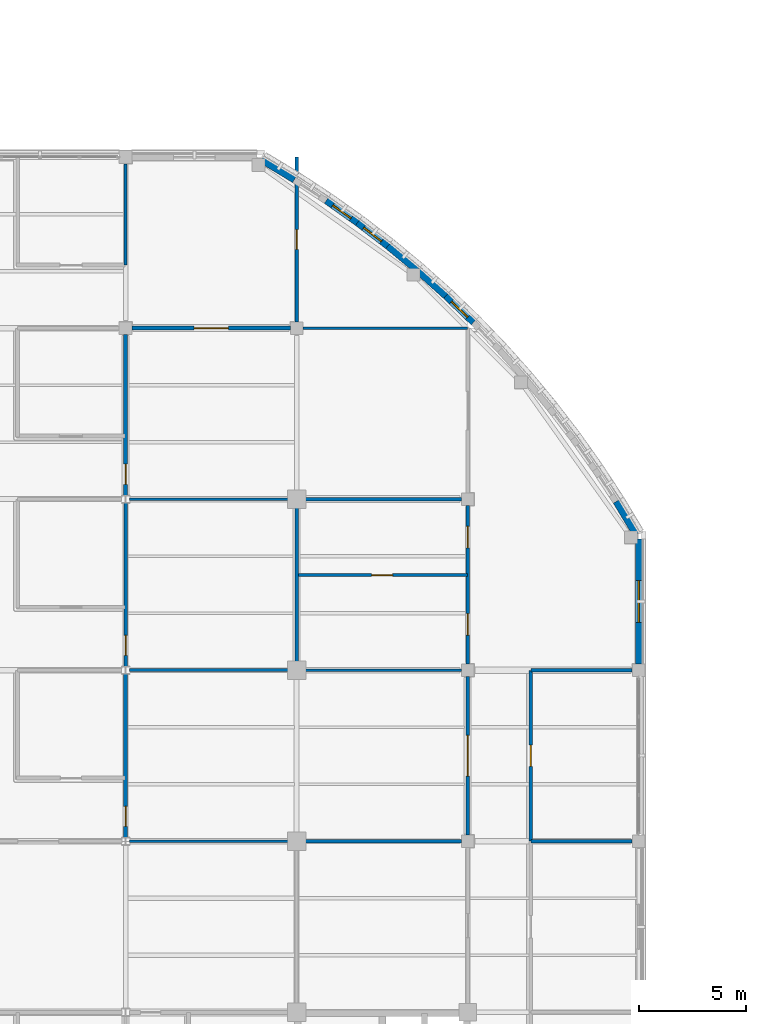
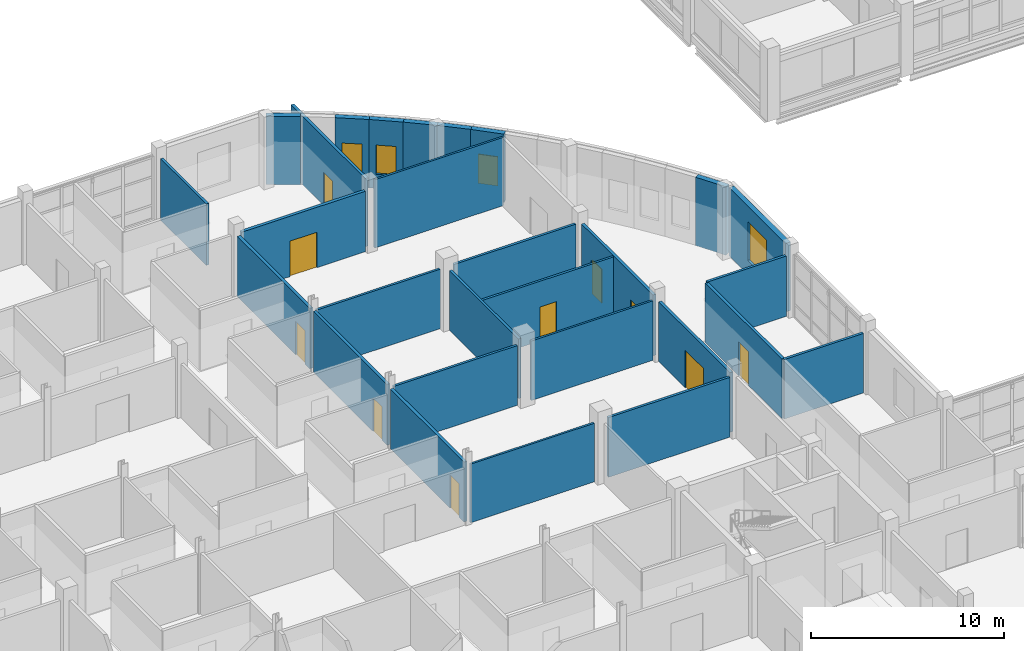
# One storey, part 90 of 121: 28 walls, 10 doors, 4 windows, 14 openings.
"""IFC4 building model written with IfcOpenShell, lengths in metres."""

from ifc_helpers import new_model, si_unit, derived_unit, direction, frame, frame_2d, origin, place, context, subcontext, project, spatial, rectangle, extrude, material, layer, layer_set, type_object, element, fill, save


model = new_model("IFC4")

# Units and contexts
model_context = context("Model", 3, precision=1e-05, world=origin(), true_north=direction((0.0, 1.0)))
body_context = subcontext(model_context, "Body", "Model", "MODEL_VIEW")
ifc_project = project(units=[si_unit("LENGTHUNIT", "METRE"), si_unit("AREAUNIT", "SQUARE_METRE"), si_unit("VOLUMEUNIT", "CUBIC_METRE"), si_unit("PLANEANGLEUNIT", "RADIAN"), si_unit("MASSUNIT", "GRAM", prefix="KILO"), derived_unit("THERMALTRANSMITTANCEUNIT", [(si_unit("MASSUNIT", "GRAM", prefix="KILO"), 1), (si_unit("TIMEUNIT", "SECOND"), -3), (si_unit("THERMODYNAMICTEMPERATUREUNIT", "KELVIN"), -1)])], contexts=[model_context])

# Site, building, storey
site_placement = place(None, origin())
site = spatial("IfcSite", under=ifc_project, at=site_placement, CompositionType="ELEMENT")
building_placement = place(site_placement, origin())
building = spatial("IfcBuilding", under=site, at=building_placement, Name="Veyamyaing Civic Hall", CompositionType="ELEMENT")
storey_placement = place(building_placement, frame((0.0, 0.0, 5.280029296875)))
storey = spatial("IfcBuildingStorey", under=building, at=storey_placement, Name="L01", CompositionType="ELEMENT", Elevation=5.280029296875)

# Wall
ifc_material_1 = material(Name="Precast concrete C40/50", Category="concrete")
ifc_layer_1 = layer(ifc_material_1, 0.304931640625, Name="Precast concrete C40/50")
ifc_layer_set_1 = layer_set([ifc_layer_1], Name="Precast concrete C40/50")
wall_type_1 = type_object("IfcWallType", Name="WT-03", PredefinedType="SOLIDWALL", material=ifc_layer_set_1)
wall_1_placement = place(storey_placement, frame((119.8671875, 78.350830078125, 0.0), z_axis=(0.0, 0.0, 1.0), x_axis=(-0.51607516088, 0.856543302071, 0.0)))
element("IfcWall", 1, at=wall_1_placement, inside=storey, type_object=wall_type_1, Name="Curved corner facade wall WT-03 L01 NE.1", PredefinedType="SOLIDWALL", context=body_context, shape_type="SweptSolid", body=[
    extrude(rectangle(XDim=1.794921875, YDim=0.304931640625, at=frame_2d((0.8974609375, 0.0))), origin(), (0.0, 0.0, 1.0), 4.3349609375),
])

# Wall, opening, window
wall_2_placement = place(storey_placement, frame((112.264404296875, 88.26025390625, 0.0), z_axis=(0.0, 0.0, 1.0), x_axis=(-0.720242191926, 0.693722700342, 0.0)))
wall_2 = element("IfcWall", 2, at=wall_2_placement, inside=storey, type_object=wall_type_1, Name="Curved corner facade wall WT-03 L01 NE.8", PredefinedType="SOLIDWALL", context=body_context, shape_type="SweptSolid", body=[
    extrude(rectangle(XDim=1.795166015625, YDim=0.304931640625, at=frame_2d((0.8974609375, 0.0))), origin(), (0.0, 0.0, 1.0), 4.3349609375),
])
opening_1_placement = place(wall_2_placement, frame((0.37255859375, 0.0, 0.89990234375)))
opening_1 = element("IfcOpeningElement", 3, at=opening_1_placement, cuts=wall_2, Name="Opening W-16", PredefinedType="OPENING", context=body_context, shape_type="SweptSolid", body=[
    extrude(rectangle(XDim=1.050048828125, YDim=1.85009765625, at=frame_2d((0.52490234375, 0.925048828125))), frame((0.0, 0.162353515625, 0.0), z_axis=(0.0, -1.0, 0.0), x_axis=(1.0, 0.0, 0.0)), (0.0, 0.0, 1.0), 0.324951171875),
])
ifc_material_2 = material(Name="Low-E insulated glass", Category="glass")
window_type_1 = type_object("IfcWindowType", Name="W-16", PartitioningType="SINGLE_PANEL", PredefinedType="WINDOW", material=ifc_material_2)
window_1_placement = place(opening_1_placement, origin())
window_1 = element("IfcWindow", 4, at=window_1_placement, inside=storey, type_object=window_type_1, Name="Curved ribbon window W-16 L01 NE.8", OverallHeight=1.85009765625, OverallWidth=1.050048828125, PartitioningType="SINGLE_PANEL", PredefinedType="WINDOW", context=body_context, shape_type="SweptSolid", body=[
    extrude(rectangle(XDim=1.050048828125, YDim=1.85009765625, at=frame_2d((0.52490234375, 0.925048828125))), frame((0.0, 0.030029296875, 0.0), z_axis=(0.0, -1.0, 0.0), x_axis=(1.0, 0.0, 0.0)), (0.0, 0.0, 1.0), 0.06005859375),
])
fill(opening_1, window_1)

# Walls
wall_3_placement = place(storey_placement, frame((110.975830078125, 89.501708984375, 0.0), z_axis=(0.0, 0.0, 1.0), x_axis=(-0.745703543965, 0.666277888361, 0.0)))
element("IfcWall", 5, at=wall_3_placement, inside=storey, type_object=wall_type_1, Name="Curved corner facade wall WT-03 L01 NE.9", PredefinedType="SOLIDWALL", context=body_context, shape_type="SweptSolid", body=[
    extrude(rectangle(XDim=1.795166015625, YDim=0.304931640625, at=frame_2d((0.8974609375, 0.0))), origin(), (0.0, 0.0, 1.0), 4.3349609375),
])
wall_4_placement = place(storey_placement, frame((109.6416015625, 90.694091796875, 0.0), z_axis=(0.0, 0.0, 1.0), x_axis=(-0.769991012207, 0.638054732073, 0.0)))
element("IfcWall", 6, at=wall_4_placement, inside=storey, type_object=wall_type_1, Name="Curved corner facade wall WT-03 L01 NE.10", PredefinedType="SOLIDWALL", context=body_context, shape_type="SweptSolid", body=[
    extrude(rectangle(XDim=1.794921875, YDim=0.304931640625, at=frame_2d((0.8974609375, 0.0))), origin(), (0.0, 0.0, 1.0), 4.3349609375),
])

# Wall, opening, window
wall_5_placement = place(storey_placement, frame((108.263916015625, 91.835693359375, 0.0), z_axis=(0.0, 0.0, 1.0), x_axis=(-0.793341406114, 0.608776981616, 0.0)))
wall_5 = element("IfcWall", 7, at=wall_5_placement, inside=storey, type_object=wall_type_1, Name="Curved corner facade wall WT-03 L01 NE.11", PredefinedType="SOLIDWALL", context=body_context, shape_type="SweptSolid", body=[
    extrude(rectangle(XDim=1.794921875, YDim=0.304931640625, at=frame_2d((0.8974609375, 0.0))), origin(), (0.0, 0.0, 1.0), 4.3349609375),
])
opening_2_placement = place(wall_5_placement, frame((0.37255859375, 0.0, 0.89990234375)))
opening_2 = element("IfcOpeningElement", 8, at=opening_2_placement, cuts=wall_5, Name="Opening W-16", PredefinedType="OPENING", context=body_context, shape_type="SweptSolid", body=[
    extrude(rectangle(XDim=1.050048828125, YDim=1.85009765625, at=frame_2d((0.52490234375, 0.925048828125))), frame((0.0, 0.162353515625, 0.0), z_axis=(0.0, -1.0, 0.0), x_axis=(1.0, 0.0, 0.0)), (0.0, 0.0, 1.0), 0.324951171875),
])
window_2_placement = place(opening_2_placement, origin())
window_2 = element("IfcWindow", 9, at=window_2_placement, inside=storey, type_object=window_type_1, Name="Curved ribbon window W-16 L01 NE.11", OverallHeight=1.85009765625, OverallWidth=1.050048828125, PartitioningType="SINGLE_PANEL", PredefinedType="WINDOW", context=body_context, shape_type="SweptSolid", body=[
    extrude(rectangle(XDim=1.050048828125, YDim=1.85009765625, at=frame_2d((0.52490234375, 0.925048828125))), frame((0.0, 0.030029296875, 0.0), z_axis=(0.0, -1.0, 0.0), x_axis=(1.0, 0.0, 0.0)), (0.0, 0.0, 1.0), 0.06005859375),
])
fill(opening_2, window_2)

wall_6_placement = place(storey_placement, frame((106.844482421875, 92.925048828125, 0.0), z_axis=(0.0, 0.0, 1.0), x_axis=(-0.815567185578, 0.578662393636, 0.0)))
wall_6 = element("IfcWall", 10, at=wall_6_placement, inside=storey, type_object=wall_type_1, Name="Curved corner facade wall WT-03 L01 NE.12", PredefinedType="SOLIDWALL", context=body_context, shape_type="SweptSolid", body=[
    extrude(rectangle(XDim=1.795166015625, YDim=0.304931640625, at=frame_2d((0.8974609375, 0.0))), origin(), (0.0, 0.0, 1.0), 4.3349609375),
])
opening_3_placement = place(wall_6_placement, frame((0.37255859375, 0.0, 0.89990234375)))
opening_3 = element("IfcOpeningElement", 11, at=opening_3_placement, cuts=wall_6, Name="Opening W-16", PredefinedType="OPENING", context=body_context, shape_type="SweptSolid", body=[
    extrude(rectangle(XDim=1.050048828125, YDim=1.85009765625, at=frame_2d((0.52490234375, 0.925048828125))), frame((0.0, 0.162353515625, 0.0), z_axis=(0.0, -1.0, 0.0), x_axis=(1.0, 0.0, 0.0)), (0.0, 0.0, 1.0), 0.324951171875),
])
window_3_placement = place(opening_3_placement, origin())
window_3 = element("IfcWindow", 12, at=window_3_placement, inside=storey, type_object=window_type_1, Name="Curved ribbon window W-16 L01 NE.12", OverallHeight=1.85009765625, OverallWidth=1.050048828125, PartitioningType="SINGLE_PANEL", PredefinedType="WINDOW", context=body_context, shape_type="SweptSolid", body=[
    extrude(rectangle(XDim=1.050048828125, YDim=1.85009765625, at=frame_2d((0.52490234375, 0.925048828125))), frame((0.0, 0.030029296875, 0.0), z_axis=(0.0, -1.0, 0.0), x_axis=(1.0, 0.0, 0.0)), (0.0, 0.0, 1.0), 0.06005859375),
])
fill(opening_3, window_3)

# Wall
wall_7_placement = place(storey_placement, frame((103.88818359375, 94.94091796875, 0.0), z_axis=(0.0, 0.0, 1.0), x_axis=(-0.856543302071, 0.51607516088, 0.0)))
element("IfcWall", 13, at=wall_7_placement, inside=storey, type_object=wall_type_1, Name="Curved corner facade wall WT-03 L01 NE.14", PredefinedType="SOLIDWALL", context=body_context, shape_type="SweptSolid", body=[
    extrude(rectangle(XDim=1.794921875, YDim=0.304931640625, at=frame_2d((0.8974609375, 0.0))), origin(), (0.0, 0.0, 1.0), 4.3349609375),
])

# Wall, opening, window
wall_8_placement = place(storey_placement, frame((120.0, 72.284912109375, 0.0), z_axis=(0.0, 0.0, 1.0), x_axis=(0.0, 1.0, 0.0)))
wall_8 = element("IfcWall", 14, at=wall_8_placement, inside=storey, type_object=wall_type_1, Name="Exterior facade wall WT-03 L01 E 15.10", PredefinedType="SOLIDWALL", context=body_context, shape_type="SweptSolid", body=[
    extrude(rectangle(XDim=5.86083984375, YDim=0.304931640625, at=frame_2d((2.930419921875, 0.0))), origin(), (0.0, 0.0, 1.0), 4.3349609375),
])
opening_4_placement = place(wall_8_placement, frame((1.955322265625, 0.0, 0.89990234375)))
opening_4 = element("IfcOpeningElement", 15, at=opening_4_placement, cuts=wall_8, Name="Opening W-26", PredefinedType="OPENING", context=body_context, shape_type="SweptSolid", body=[
    extrude(rectangle(XDim=1.949951171875, YDim=2.449951171875, at=frame_2d((0.97509765625, 1.22509765625))), frame((0.0, 0.162353515625, 0.0), z_axis=(0.0, -1.0, 0.0), x_axis=(1.0, 0.0, 0.0)), (0.0, 0.0, 1.0), 0.324951171875),
])
window_type_2 = type_object("IfcWindowType", Name="W-26", PartitioningType="SINGLE_PANEL", PredefinedType="WINDOW", material=ifc_material_2)
window_4_placement = place(opening_4_placement, origin())
window_4 = element("IfcWindow", 16, at=window_4_placement, inside=storey, type_object=window_type_2, Name="Facade window W-26 L01 E 15.10", OverallHeight=2.449951171875, OverallWidth=1.949951171875, PartitioningType="SINGLE_PANEL", PredefinedType="WINDOW", context=body_context, shape_type="SweptSolid", body=[
    extrude(rectangle(XDim=1.949951171875, YDim=2.449951171875, at=frame_2d((0.97509765625, 1.22509765625))), frame((0.0, 0.030029296875, 0.0), z_axis=(0.0, -1.0, 0.0), x_axis=(1.0, 0.0, 0.0)), (0.0, 0.0, 1.0), 0.06005859375),
])
fill(opening_4, window_4)

# Wall, opening, door
ifc_material_3 = material(Name="Gypsum board on acoustic steel stud", Category="steel")
ifc_layer_2 = layer(ifc_material_3, 0.175048828125, Name="Gypsum board on acoustic steel stud")
ifc_layer_set_2 = layer_set([ifc_layer_2], Name="Gypsum board on acoustic steel stud")
wall_type_2 = type_object("IfcWallType", Name="WT-07", PredefinedType="PARTITIONING", material=ifc_layer_set_2)
wall_9_placement = place(storey_placement, frame((114.949951171875, 64.02001953125, 0.0), z_axis=(0.0, 0.0, 1.0), x_axis=(0.0, 1.0, 0.0)))
wall_9 = element("IfcWall", 17, at=wall_9_placement, inside=storey, type_object=wall_type_2, Name="Corridor gallery partition WT-07 L01.59.1", PredefinedType="PARTITIONING", context=body_context, shape_type="SweptSolid", body=[
    extrude(rectangle(XDim=7.9599609375, YDim=0.175048828125, at=frame_2d((3.97998046875, 0.0))), origin(), (0.0, 0.0, 1.0), 3.77099609375),
])
opening_5_placement = place(wall_9_placement, frame((3.47998046875, 0.0, 0.0)))
opening_5 = element("IfcOpeningElement", 18, at=opening_5_placement, cuts=wall_9, Name="Opening D-13", PredefinedType="OPENING", context=body_context, shape_type="SweptSolid", body=[
    extrude(rectangle(XDim=1.0, YDim=2.14990234375, at=frame_2d((0.5, 1.074951171875))), frame((0.0, 0.097412109375, 0.0), z_axis=(0.0, -1.0, 0.0), x_axis=(1.0, 0.0, 0.0)), (0.0, 0.0, 1.0), 0.195068359375),
])
ifc_material_4 = material(Name="Teak-veneered acoustic timber", Category="wood")
door_type_1 = type_object("IfcDoorType", Name="D-13", OperationType="NOTDEFINED", PredefinedType="DOOR", material=ifc_material_4)
door_1_placement = place(opening_5_placement, frame((1.0, 0.0, 0.0), z_axis=(0.0, 0.0, 1.0), x_axis=(-1.0, 0.0, 0.0)))
door_1 = element("IfcDoor", 19, at=door_1_placement, inside=storey, type_object=door_type_1, Name="Gallery office door D-13 L01.59", OperationType="SINGLE_SWING_LEFT", OverallHeight=2.14990234375, OverallWidth=1.0, PredefinedType="DOOR", context=body_context, shape_type="SweptSolid", body=[
    extrude(rectangle(XDim=1.0, YDim=2.14990234375, at=frame_2d((0.5, 1.074951171875))), frame((0.0, 0.02490234375, 0.0), z_axis=(0.0, -1.0, 0.0), x_axis=(1.0, 0.0, 0.0)), (0.0, 0.0, 1.0), 0.050048828125),
])
fill(opening_5, door_1)

wall_10_placement = place(storey_placement, frame((96.0, 72.176025390625, 0.0), z_axis=(0.0, 0.0, 1.0), x_axis=(0.0, 1.0, 0.0)))
wall_10 = element("IfcWall", 20, at=wall_10_placement, inside=storey, type_object=wall_type_2, Name="Interior partition wall WT-07 L01.65", PredefinedType="PARTITIONING", context=body_context, shape_type="SweptSolid", body=[
    extrude(rectangle(XDim=7.64794921875, YDim=0.175048828125, at=frame_2d((3.823974609375, 0.0))), origin(), (0.0, 0.0, 1.0), 3.85693359375),
])
opening_6_placement = place(wall_10_placement, frame((0.52001953125, 0.0, 0.0)))
opening_6 = element("IfcOpeningElement", 21, at=opening_6_placement, cuts=wall_10, Name="Opening D-30", PredefinedType="OPENING", context=body_context, shape_type="SweptSolid", body=[
    extrude(rectangle(XDim=0.93994140625, YDim=2.1201171875, at=frame_2d((0.469970703125, 1.06005859375))), frame((0.0, 0.097412109375, 0.0), z_axis=(0.0, -1.0, 0.0), x_axis=(1.0, 0.0, 0.0)), (0.0, 0.0, 1.0), 0.195068359375),
])
door_type_2 = type_object("IfcDoorType", Name="D-30", OperationType="NOTDEFINED", PredefinedType="DOOR", material=ifc_material_4)
door_2_placement = place(opening_6_placement, frame((0.93994140625, 0.0, 0.0), z_axis=(0.0, 0.0, 1.0), x_axis=(-1.0, 0.0, 0.0)))
door_2 = element("IfcDoor", 22, at=door_2_placement, inside=storey, type_object=door_type_2, Name="Interior door D-30 L01.65", OperationType="SINGLE_SWING_RIGHT", OverallHeight=2.1201171875, OverallWidth=0.93994140625, PredefinedType="DOOR", context=body_context, shape_type="SweptSolid", body=[
    extrude(rectangle(XDim=0.93994140625, YDim=2.1201171875, at=frame_2d((0.469970703125, 1.06005859375))), frame((0.0, 0.02490234375, 0.0), z_axis=(0.0, -1.0, 0.0), x_axis=(1.0, 0.0, 0.0)), (0.0, 0.0, 1.0), 0.050048828125),
])
fill(opening_6, door_2)

wall_11_placement = place(storey_placement, frame((104.0, 88.2900390625, 0.0), z_axis=(0.0, 0.0, 1.0), x_axis=(0.0, 1.0, 0.0)))
wall_11 = element("IfcWall", 23, at=wall_11_placement, inside=storey, type_object=wall_type_2, Name="Interior partition wall WT-07 L01.81", PredefinedType="PARTITIONING", context=body_context, shape_type="SweptSolid", body=[
    extrude(rectangle(XDim=7.7099609375, YDim=0.175048828125, at=frame_2d((3.85498046875, 0.0))), origin(), (0.0, 0.0, 1.0), 4.324951171875),
])
opening_7_placement = place(wall_11_placement, frame((3.39501953125, 0.0, 0.0)))
opening_7 = element("IfcOpeningElement", 24, at=opening_7_placement, cuts=wall_11, Name="Opening D-16", PredefinedType="OPENING", context=body_context, shape_type="SweptSolid", body=[
    extrude(rectangle(XDim=0.919921875, YDim=2.10009765625, at=frame_2d((0.4599609375, 1.050048828125))), frame((0.0, 0.097412109375, 0.0), z_axis=(0.0, -1.0, 0.0), x_axis=(1.0, 0.0, 0.0)), (0.0, 0.0, 1.0), 0.195068359375),
])
door_type_3 = type_object("IfcDoorType", Name="D-16", OperationType="NOTDEFINED", PredefinedType="DOOR", material=ifc_material_4)
door_3_placement = place(opening_7_placement, frame((0.919921875, 0.0, 0.0), z_axis=(0.0, 0.0, 1.0), x_axis=(-1.0, 0.0, 0.0)))
door_3 = element("IfcDoor", 25, at=door_3_placement, inside=storey, type_object=door_type_3, Name="Interior door D-16 L01.81", OperationType="SINGLE_SWING_LEFT", OverallHeight=2.10009765625, OverallWidth=0.919921875, PredefinedType="DOOR", context=body_context, shape_type="SweptSolid", body=[
    extrude(rectangle(XDim=0.919921875, YDim=2.10009765625, at=frame_2d((0.4599609375, 1.050048828125))), frame((0.0, 0.02490234375, 0.0), z_axis=(0.0, -1.0, 0.0), x_axis=(1.0, 0.0, 0.0)), (0.0, 0.0, 1.0), 0.050048828125),
])
fill(opening_7, door_3)

wall_12_placement = place(storey_placement, frame((112.0, 64.2900390625, 0.0), z_axis=(0.0, 0.0, 1.0), x_axis=(0.0, 1.0, 0.0)))
wall_12 = element("IfcWall", 26, at=wall_12_placement, inside=storey, type_object=wall_type_2, Name="Interior partition wall WT-07 L01.87", PredefinedType="PARTITIONING", context=body_context, shape_type="SweptSolid", body=[
    extrude(rectangle(XDim=7.419921875, YDim=0.175048828125, at=frame_2d((3.7099609375, 0.0))), origin(), (0.0, 0.0, 1.0), 3.781005859375),
])
opening_8_placement = place(wall_12_placement, frame((2.760009765625, 0.0, 0.0)))
opening_8 = element("IfcOpeningElement", 27, at=opening_8_placement, cuts=wall_12, Name="Opening D-31", PredefinedType="OPENING", context=body_context, shape_type="SweptSolid", body=[
    extrude(rectangle(XDim=1.89990234375, YDim=2.3798828125, at=frame_2d((0.949951171875, 1.18994140625))), frame((0.0, 0.097412109375, 0.0), z_axis=(0.0, -1.0, 0.0), x_axis=(1.0, 0.0, 0.0)), (0.0, 0.0, 1.0), 0.195068359375),
])
door_type_4 = type_object("IfcDoorType", Name="D-31", OperationType="DOUBLE_DOOR_SINGLE_SWING", PredefinedType="DOOR", material=ifc_material_4)
door_4_placement = place(opening_8_placement, origin())
door_4 = element("IfcDoor", 28, at=door_4_placement, inside=storey, type_object=door_type_4, Name="Interior door D-31 L01.87", OperationType="DOUBLE_DOOR_SINGLE_SWING", OverallHeight=2.3798828125, OverallWidth=1.89990234375, PredefinedType="DOOR", context=body_context, shape_type="SweptSolid", body=[
    extrude(rectangle(XDim=1.89990234375, YDim=2.3798828125, at=frame_2d((0.949951171875, 1.18994140625))), frame((0.0, 0.02490234375, 0.0), z_axis=(0.0, -1.0, 0.0), x_axis=(1.0, 0.0, 0.0)), (0.0, 0.0, 1.0), 0.050048828125),
])
fill(opening_8, door_4)

# Wall, openings, doors
wall_13_placement = place(storey_placement, frame((112.0, 72.2900390625, 0.0), z_axis=(0.0, 0.0, 1.0), x_axis=(0.0, 1.0, 0.0)))
wall_13 = element("IfcWall", 29, at=wall_13_placement, inside=storey, type_object=wall_type_2, Name="Interior partition wall WT-07 L01.89", PredefinedType="PARTITIONING", context=body_context, shape_type="SweptSolid", body=[
    extrude(rectangle(XDim=7.419921875, YDim=0.175048828125, at=frame_2d((3.7099609375, 0.0))), origin(), (0.0, 0.0, 1.0), 3.85107421875),
])
opening_9_placement = place(wall_13_placement, frame((1.35498046875, 0.0, 0.0)))
opening_9 = element("IfcOpeningElement", 30, at=opening_9_placement, cuts=wall_13, Name="Opening D-13", PredefinedType="OPENING", context=body_context, shape_type="SweptSolid", body=[
    extrude(rectangle(XDim=1.0, YDim=2.14990234375, at=frame_2d((0.5, 1.074951171875))), frame((0.0, 0.097412109375, 0.0), z_axis=(0.0, -1.0, 0.0), x_axis=(1.0, 0.0, 0.0)), (0.0, 0.0, 1.0), 0.195068359375),
])
opening_10_placement = place(wall_13_placement, frame((5.43603515625, 0.0, 0.0)))
opening_10 = element("IfcOpeningElement", 31, at=opening_10_placement, cuts=wall_13, Name="Opening D-13", PredefinedType="OPENING", context=body_context, shape_type="SweptSolid", body=[
    extrude(rectangle(XDim=1.0, YDim=2.14990234375, at=frame_2d((0.5, 1.074951171875))), frame((0.0, 0.097412109375, 0.0), z_axis=(0.0, -1.0, 0.0), x_axis=(1.0, 0.0, 0.0)), (0.0, 0.0, 1.0), 0.195068359375),
])
door_5_placement = place(opening_9_placement, origin())
door_5 = element("IfcDoor", 32, at=door_5_placement, inside=storey, type_object=door_type_1, Name="Interior room door D-13 L01.89.1", OperationType="SINGLE_SWING_LEFT", OverallHeight=2.14990234375, OverallWidth=1.0, PredefinedType="DOOR", context=body_context, shape_type="SweptSolid", body=[
    extrude(rectangle(XDim=1.0, YDim=2.14990234375, at=frame_2d((0.5, 1.074951171875))), frame((0.0, 0.02490234375, 0.0), z_axis=(0.0, -1.0, 0.0), x_axis=(1.0, 0.0, 0.0)), (0.0, 0.0, 1.0), 0.050048828125),
])
fill(opening_9, door_5)
door_6_placement = place(opening_10_placement, origin())
door_6 = element("IfcDoor", 33, at=door_6_placement, inside=storey, type_object=door_type_1, Name="Interior room door D-13 L01.89.2", OperationType="SINGLE_SWING_RIGHT", OverallHeight=2.14990234375, OverallWidth=1.0, PredefinedType="DOOR", context=body_context, shape_type="SweptSolid", body=[
    extrude(rectangle(XDim=1.0, YDim=2.14990234375, at=frame_2d((0.5, 1.074951171875))), frame((0.0, 0.02490234375, 0.0), z_axis=(0.0, -1.0, 0.0), x_axis=(1.0, 0.0, 0.0)), (0.0, 0.0, 1.0), 0.050048828125),
])
fill(opening_10, door_6)

# Walls
ifc_material_5 = material(Name="Gypsum board on steel stud", Category="steel")
ifc_layer_3 = layer(ifc_material_5, 0.14990234375, Name="Gypsum board on steel stud")
ifc_layer_set_3 = layer_set([ifc_layer_3], Name="Gypsum board on steel stud")
wall_type_3 = type_object("IfcWallType", Name="WT-08", PredefinedType="PARTITIONING", material=ifc_layer_set_3)
wall_14_placement = place(storey_placement, frame((96.0, 90.949951171875, 0.0), z_axis=(0.0, 0.0, 1.0), x_axis=(0.0, 1.0, 0.0)))
element("IfcWall", 34, at=wall_14_placement, inside=storey, type_object=wall_type_3, Name="Gallery office end partition WT-08 L01.53.2", PredefinedType="PARTITIONING", context=body_context, shape_type="SweptSolid", body=[
    extrude(rectangle(XDim=4.739990234375, YDim=0.14990234375, at=frame_2d((2.3701171875, 0.0))), origin(), (0.0, 0.0, 1.0), 3.89599609375),
])
wall_15_placement = place(storey_placement, frame((114.949951171875, 64.0, 0.0), z_axis=(0.0, 0.0, 1.0), x_axis=(1.0, 0.0, 0.0)))
element("IfcWall", 35, at=wall_15_placement, inside=storey, type_object=wall_type_3, Name="Gallery office end partition WT-08 L01.58.2", PredefinedType="PARTITIONING", context=body_context, shape_type="SweptSolid", body=[
    extrude(rectangle(XDim=4.739990234375, YDim=0.14990234375, at=frame_2d((2.3701171875, 0.0))), origin(), (0.0, 0.0, 1.0), 3.77099609375),
])
wall_16_placement = place(storey_placement, frame((114.949951171875, 72.0, 0.0), z_axis=(0.0, 0.0, 1.0), x_axis=(1.0, 0.0, 0.0)))
element("IfcWall", 36, at=wall_16_placement, inside=storey, type_object=wall_type_3, Name="Gallery office end partition WT-08 L01.59.2", PredefinedType="PARTITIONING", context=body_context, shape_type="SweptSolid", body=[
    extrude(rectangle(XDim=4.739990234375, YDim=0.14990234375, at=frame_2d((2.3701171875, 0.0))), origin(), (0.0, 0.0, 1.0), 3.825927734375),
])
wall_17_placement = place(storey_placement, frame((104.0, 72.4150390625, 0.0), z_axis=(0.0, 0.0, 1.0), x_axis=(0.0, 1.0, 0.0)))
element("IfcWall", 37, at=wall_17_placement, inside=storey, type_object=wall_type_3, Name="Interior partition wall WT-08 L01.78", PredefinedType="PARTITIONING", context=body_context, shape_type="SweptSolid", body=[
    extrude(rectangle(XDim=7.169921875, YDim=0.14990234375, at=frame_2d((3.5849609375, 0.0))), origin(), (0.0, 0.0, 1.0), 3.781005859375),
])
wall_18_placement = place(storey_placement, frame((104.4150390625, 64.0, 0.0), z_axis=(0.0, 0.0, 1.0), x_axis=(1.0, 0.0, 0.0)))
element("IfcWall", 38, at=wall_18_placement, inside=storey, type_object=wall_type_3, Name="Interior partition wall WT-08 L01.86", PredefinedType="PARTITIONING", context=body_context, shape_type="SweptSolid", body=[
    extrude(rectangle(XDim=7.294921875, YDim=0.14990234375, at=frame_2d((3.6474609375, 0.0))), origin(), (0.0, 0.0, 1.0), 3.786865234375),
])
wall_19_placement = place(storey_placement, frame((104.4150390625, 80.0, 0.0), z_axis=(0.0, 0.0, 1.0), x_axis=(1.0, 0.0, 0.0)))
element("IfcWall", 39, at=wall_19_placement, inside=storey, type_object=wall_type_3, Name="Interior partition wall WT-08 L01.90", PredefinedType="PARTITIONING", context=body_context, shape_type="SweptSolid", body=[
    extrude(rectangle(XDim=7.294921875, YDim=0.14990234375, at=frame_2d((3.6474609375, 0.0))), origin(), (0.0, 0.0, 1.0), 3.781005859375),
])
ifc_layer_4 = layer(ifc_material_5, 0.135009765625, Name="Gypsum board on steel stud")
ifc_layer_set_4 = layer_set([ifc_layer_4], Name="Gypsum board on steel stud")
wall_type_4 = type_object("IfcWallType", Name="WT-15", PredefinedType="PARTITIONING", material=ifc_layer_set_4)
wall_20_placement = place(storey_placement, frame((96.177001953125, 80.0, 0.0), z_axis=(0.0, 0.0, 1.0), x_axis=(1.0, 0.0, 0.0)))
element("IfcWall", 40, at=wall_20_placement, inside=storey, type_object=wall_type_4, Name="Interior partition wall WT-15 L01.79", PredefinedType="PARTITIONING", context=body_context, shape_type="SweptSolid", body=[
    extrude(rectangle(XDim=7.407958984375, YDim=0.135009765625, at=frame_2d((3.7041015625, 0.0))), origin(), (0.0, 0.0, 1.0), 3.77099609375),
])

# Wall, opening, door
wall_21_placement = place(storey_placement, frame((104.02001953125, 76.449951171875, 0.0), z_axis=(0.0, 0.0, 1.0), x_axis=(1.0, 0.0, 0.0)))
wall_21 = element("IfcWall", 41, at=wall_21_placement, inside=storey, type_object=wall_type_4, Name="Sub-bay room partition WT-15 L01.3", PredefinedType="PARTITIONING", context=body_context, shape_type="SweptSolid", body=[
    extrude(rectangle(XDim=7.9599609375, YDim=0.135009765625, at=frame_2d((3.97998046875, 0.0))), origin(), (0.0, 0.0, 1.0), 3.781005859375),
])
opening_11_placement = place(wall_21_placement, frame((3.489990234375, 0.0, 0.0)))
opening_11 = element("IfcOpeningElement", 42, at=opening_11_placement, cuts=wall_21, Name="Opening D-14", PredefinedType="OPENING", context=body_context, shape_type="SweptSolid", body=[
    extrude(rectangle(XDim=0.97998046875, YDim=2.14990234375, at=frame_2d((0.489990234375, 1.074951171875))), frame((0.0, 0.077392578125, 0.0), z_axis=(0.0, -1.0, 0.0), x_axis=(1.0, 0.0, 0.0)), (0.0, 0.0, 1.0), 0.155029296875),
])
door_type_5 = type_object("IfcDoorType", Name="D-14", OperationType="NOTDEFINED", PredefinedType="DOOR", material=ifc_material_4)
door_7_placement = place(opening_11_placement, origin())
door_7 = element("IfcDoor", 43, at=door_7_placement, inside=storey, type_object=door_type_5, Name="Suite connecting door D-14 L01.3", OperationType="SINGLE_SWING_RIGHT", OverallHeight=2.14990234375, OverallWidth=0.97998046875, PredefinedType="DOOR", context=body_context, shape_type="SweptSolid", body=[
    extrude(rectangle(XDim=0.97998046875, YDim=2.14990234375, at=frame_2d((0.489990234375, 1.074951171875))), frame((0.0, 0.02490234375, 0.0), z_axis=(0.0, -1.0, 0.0), x_axis=(1.0, 0.0, 0.0)), (0.0, 0.0, 1.0), 0.050048828125),
])
fill(opening_11, door_7)

# Walls
ifc_layer_5 = layer(ifc_material_5, 0.1201171875, Name="Gypsum board on steel stud")
ifc_layer_set_5 = layer_set([ifc_layer_5], Name="Gypsum board on steel stud")
wall_type_5 = type_object("IfcWallType", Name="WT-16", PredefinedType="PARTITIONING", material=ifc_layer_set_5)
wall_22_placement = place(storey_placement, frame((96.177001953125, 64.0, 0.0), z_axis=(0.0, 0.0, 1.0), x_axis=(1.0, 0.0, 0.0)))
element("IfcWall", 44, at=wall_22_placement, inside=storey, type_object=wall_type_5, Name="Interior partition wall WT-16 L01.76", PredefinedType="PARTITIONING", context=body_context, shape_type="SweptSolid", body=[
    extrude(rectangle(XDim=7.407958984375, YDim=0.1201171875, at=frame_2d((3.7041015625, 0.0))), origin(), (0.0, 0.0, 1.0), 3.7119140625),
])
wall_23_placement = place(storey_placement, frame((104.4150390625, 72.0, 0.0), z_axis=(0.0, 0.0, 1.0), x_axis=(1.0, 0.0, 0.0)))
element("IfcWall", 45, at=wall_23_placement, inside=storey, type_object=wall_type_5, Name="Interior partition wall WT-16 L01.88", PredefinedType="PARTITIONING", context=body_context, shape_type="SweptSolid", body=[
    extrude(rectangle(XDim=7.294921875, YDim=0.1201171875, at=frame_2d((3.6474609375, 0.0))), origin(), (0.0, 0.0, 1.0), 3.77099609375),
])
wall_24_placement = place(storey_placement, frame((104.2900390625, 88.0, 0.0), z_axis=(0.0, 0.0, 1.0), x_axis=(1.0, 0.0, 0.0)))
element("IfcWall", 46, at=wall_24_placement, inside=storey, type_object=wall_type_5, Name="Interior partition wall WT-16 L01.92", PredefinedType="PARTITIONING", context=body_context, shape_type="SweptSolid", body=[
    extrude(rectangle(XDim=7.7099609375, YDim=0.1201171875, at=frame_2d((3.85498046875, 0.0))), origin(), (0.0, 0.0, 1.0), 4.324951171875),
])

# Wall, opening, door
ifc_material_6 = material(Name="Gypsum board on double acoustic stud")
ifc_layer_6 = layer(ifc_material_6, 0.18505859375, Name="Gypsum board on double acoustic stud")
ifc_layer_set_6 = layer_set([ifc_layer_6], Name="Gypsum board on double acoustic stud")
wall_type_6 = type_object("IfcWallType", Name="WT-19", PredefinedType="PARTITIONING", material=ifc_layer_set_6)
wall_25_placement = place(storey_placement, frame((96.0, 64.176025390625, 0.0), z_axis=(0.0, 0.0, 1.0), x_axis=(0.0, 1.0, 0.0)))
wall_25 = element("IfcWall", 47, at=wall_25_placement, inside=storey, type_object=wall_type_6, Name="Interior partition wall WT-19 L01.64", PredefinedType="PARTITIONING", context=body_context, shape_type="SweptSolid", body=[
    extrude(rectangle(XDim=7.64794921875, YDim=0.18505859375, at=frame_2d((3.823974609375, 0.0))), origin(), (0.0, 0.0, 1.0), 3.786865234375),
])
opening_12_placement = place(wall_25_placement, frame((0.52001953125, 0.0, 0.0)))
opening_12 = element("IfcOpeningElement", 48, at=opening_12_placement, cuts=wall_25, Name="Opening D-30", PredefinedType="OPENING", context=body_context, shape_type="SweptSolid", body=[
    extrude(rectangle(XDim=0.93994140625, YDim=2.1201171875, at=frame_2d((0.469970703125, 1.06005859375))), frame((0.0, 0.1025390625, 0.0), z_axis=(0.0, -1.0, 0.0), x_axis=(1.0, 0.0, 0.0)), (0.0, 0.0, 1.0), 0.205078125),
])
door_8_placement = place(opening_12_placement, frame((0.93994140625, 0.0, 0.0), z_axis=(0.0, 0.0, 1.0), x_axis=(-1.0, 0.0, 0.0)))
door_8 = element("IfcDoor", 49, at=door_8_placement, inside=storey, type_object=door_type_2, Name="Interior door D-30 L01.64", OperationType="SINGLE_SWING_LEFT", OverallHeight=2.1201171875, OverallWidth=0.93994140625, PredefinedType="DOOR", context=body_context, shape_type="SweptSolid", body=[
    extrude(rectangle(XDim=0.93994140625, YDim=2.1201171875, at=frame_2d((0.469970703125, 1.06005859375))), frame((0.0, 0.02490234375, 0.0), z_axis=(0.0, -1.0, 0.0), x_axis=(1.0, 0.0, 0.0)), (0.0, 0.0, 1.0), 0.050048828125),
])
fill(opening_12, door_8)

wall_26_placement = place(storey_placement, frame((96.0, 80.176025390625, 0.0), z_axis=(0.0, 0.0, 1.0), x_axis=(0.0, 1.0, 0.0)))
wall_26 = element("IfcWall", 50, at=wall_26_placement, inside=storey, type_object=wall_type_6, Name="Interior partition wall WT-19 L01.66", PredefinedType="PARTITIONING", context=body_context, shape_type="SweptSolid", body=[
    extrude(rectangle(XDim=7.533935546875, YDim=0.18505859375, at=frame_2d((3.76708984375, 0.0))), origin(), (0.0, 0.0, 1.0), 3.825927734375),
])
opening_13_placement = place(wall_26_placement, frame((0.52001953125, 0.0, 0.0)))
opening_13 = element("IfcOpeningElement", 51, at=opening_13_placement, cuts=wall_26, Name="Opening D-30", PredefinedType="OPENING", context=body_context, shape_type="SweptSolid", body=[
    extrude(rectangle(XDim=0.93994140625, YDim=2.1201171875, at=frame_2d((0.469970703125, 1.06005859375))), frame((0.0, 0.1025390625, 0.0), z_axis=(0.0, -1.0, 0.0), x_axis=(1.0, 0.0, 0.0)), (0.0, 0.0, 1.0), 0.205078125),
])
door_9_placement = place(opening_13_placement, frame((0.93994140625, 0.0, 0.0), z_axis=(0.0, 0.0, 1.0), x_axis=(-1.0, 0.0, 0.0)))
door_9 = element("IfcDoor", 52, at=door_9_placement, inside=storey, type_object=door_type_2, Name="Interior door D-30 L01.66", OperationType="SINGLE_SWING_LEFT", OverallHeight=2.1201171875, OverallWidth=0.93994140625, PredefinedType="DOOR", context=body_context, shape_type="SweptSolid", body=[
    extrude(rectangle(XDim=0.93994140625, YDim=2.1201171875, at=frame_2d((0.469970703125, 1.06005859375))), frame((0.0, 0.02490234375, 0.0), z_axis=(0.0, -1.0, 0.0), x_axis=(1.0, 0.0, 0.0)), (0.0, 0.0, 1.0), 0.050048828125),
])
fill(opening_13, door_9)

wall_27_placement = place(storey_placement, frame((96.2900390625, 88.0, 0.0), z_axis=(0.0, 0.0, 1.0), x_axis=(1.0, 0.0, 0.0)))
wall_27 = element("IfcWall", 53, at=wall_27_placement, inside=storey, type_object=wall_type_6, Name="Interior partition wall WT-19 L01.80", PredefinedType="PARTITIONING", context=body_context, shape_type="SweptSolid", body=[
    extrude(rectangle(XDim=7.419921875, YDim=0.18505859375, at=frame_2d((3.7099609375, 0.0))), origin(), (0.0, 0.0, 1.0), 3.825927734375),
])
opening_14_placement = place(wall_27_placement, frame((2.909912109375, 0.0, 0.0)))
opening_14 = element("IfcOpeningElement", 54, at=opening_14_placement, cuts=wall_27, Name="Opening D-09", PredefinedType="OPENING", context=body_context, shape_type="SweptSolid", body=[
    extrude(rectangle(XDim=1.60009765625, YDim=2.25, at=frame_2d((0.800048828125, 1.125))), frame((0.0, 0.1025390625, 0.0), z_axis=(0.0, -1.0, 0.0), x_axis=(1.0, 0.0, 0.0)), (0.0, 0.0, 1.0), 0.205078125),
])
door_type_6 = type_object("IfcDoorType", Name="D-09", OperationType="DOUBLE_DOOR_SINGLE_SWING", PredefinedType="DOOR", material=ifc_material_4)
door_10_placement = place(opening_14_placement, frame((1.60009765625, 0.0, 0.0), z_axis=(0.0, 0.0, 1.0), x_axis=(-1.0, 0.0, 0.0)))
door_10 = element("IfcDoor", 55, at=door_10_placement, inside=storey, type_object=door_type_6, Name="Interior door D-09 L01.80", OperationType="DOUBLE_DOOR_SINGLE_SWING", OverallHeight=2.25, OverallWidth=1.60009765625, PredefinedType="DOOR", context=body_context, shape_type="SweptSolid", body=[
    extrude(rectangle(XDim=1.60009765625, YDim=2.25, at=frame_2d((0.800048828125, 1.125))), frame((0.0, 0.02490234375, 0.0), z_axis=(0.0, -1.0, 0.0), x_axis=(1.0, 0.0, 0.0)), (0.0, 0.0, 1.0), 0.050048828125),
])
fill(opening_14, door_10)

# Wall
ifc_layer_7 = layer(ifc_material_5, 0.14208984375, Name="Gypsum board on steel stud")
ifc_layer_set_7 = layer_set([ifc_layer_7], Name="Gypsum board on steel stud")
wall_type_7 = type_object("IfcWallType", Name="WT-20", PredefinedType="PARTITIONING", material=ifc_layer_set_7)
wall_28_placement = place(storey_placement, frame((96.177001953125, 72.0, 0.0), z_axis=(0.0, 0.0, 1.0), x_axis=(1.0, 0.0, 0.0)))
element("IfcWall", 56, at=wall_28_placement, inside=storey, type_object=wall_type_7, Name="Interior partition wall WT-20 L01.77", PredefinedType="PARTITIONING", context=body_context, shape_type="SweptSolid", body=[
    extrude(rectangle(XDim=7.407958984375, YDim=0.14208984375, at=frame_2d((3.7041015625, 0.0))), origin(), (0.0, 0.0, 1.0), 3.786865234375),
])

save(model, "model.ifc")
